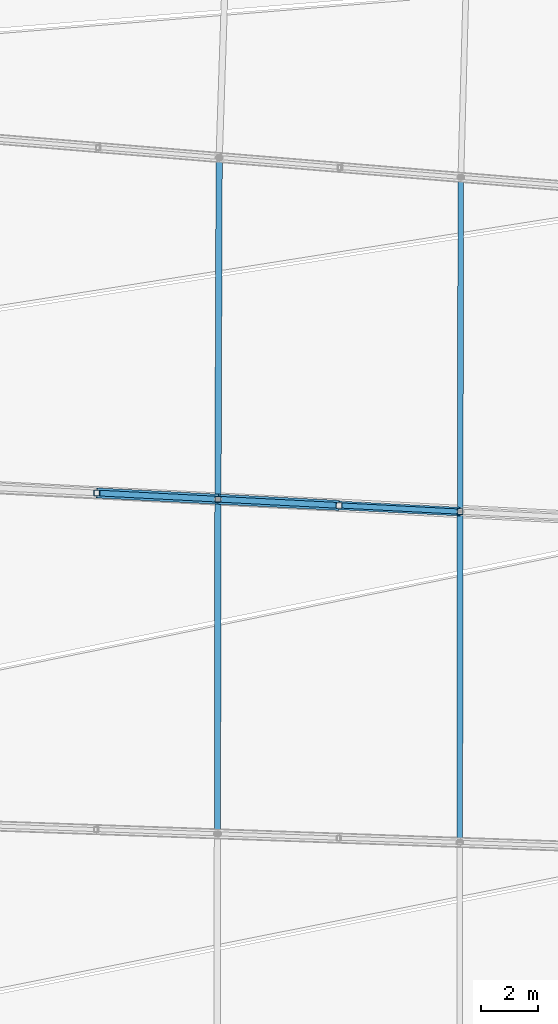
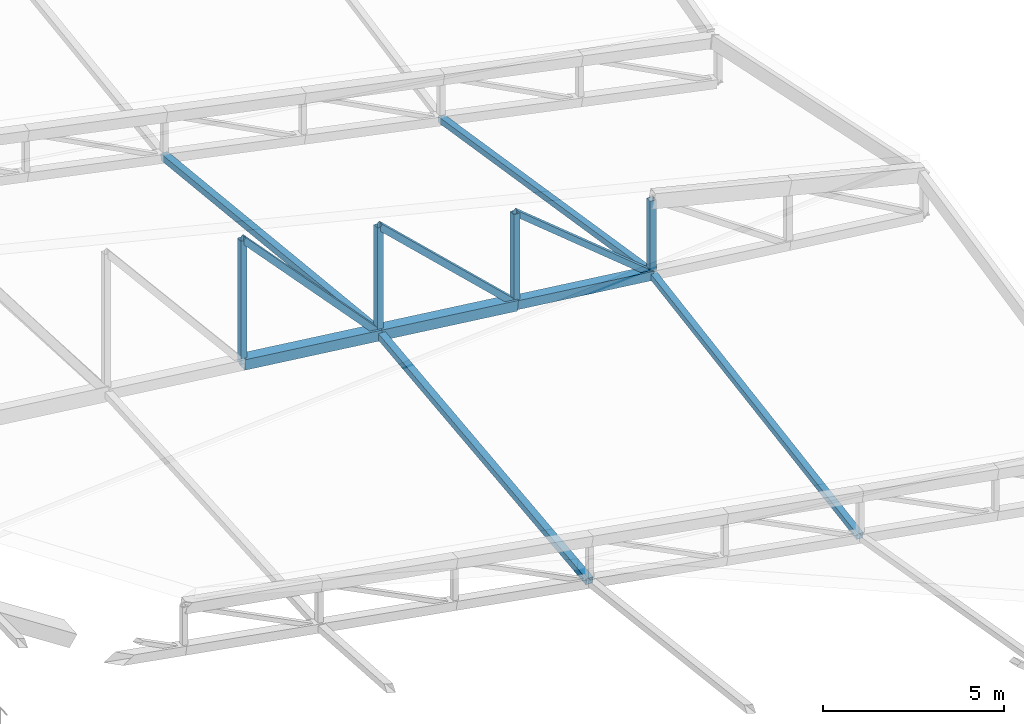
# One storey, part 123 of 344: 14 members.
"""IFC4 building model written with IfcOpenShell, lengths in metres."""

import ifcopenshell
import ifcopenshell.guid

model = None  # the IFC model being written
_history = None  # IfcOwnerHistory: only IFC2X3 demands one
_inside = {}  # id of a spatial element -> (the spatial element, [elements in it])
_under = {}  # id of a project, library or spatial element -> (it, [spatial elements below it])
_declared = {}  # id of a project -> (the project, [libraries it declares])
_typed = {}  # id of a type object -> (the type object, [elements of that type])
_made_of = {}  # id of a material, layer set ... -> (it, [elements and type objects made of it])


def new_model(schema):
    """Start an empty IFC model of exactly this schema.

    Asked for "IFC4X3", IfcOpenShell would pick the latest addendum, in which some entities
    have other attributes; the version numbers below select the first issue.
    IFC2X3 requires an IfcOwnerHistory on every rooted entity: one is made here for all.
    """
    global model, _history
    if schema == "IFC4X3":
        model = ifcopenshell.file(schema_version=(4, 3, 0, 0))
    else:
        model = ifcopenshell.file(schema=schema)
    _inside.clear()
    _under.clear()
    _declared.clear()
    _typed.clear()
    _made_of.clear()
    _history = None
    if model.schema == "IFC2X3":
        org = make("IfcOrganization", Name="unknown")
        user = make(
            "IfcPersonAndOrganization",
            ThePerson=make("IfcPerson", FamilyName="unknown"),
            TheOrganization=org,
        )
        app = make(
            "IfcApplication",
            ApplicationDeveloper=org,
            Version="unknown",
            ApplicationFullName="unknown",
            ApplicationIdentifier="unknown",
        )
        _history = make(
            "IfcOwnerHistory",
            OwningUser=user,
            OwningApplication=app,
            ChangeAction="ADDED",
            CreationDate=0,
        )
    return model


def make(cls, **values):
    """One entity of the class cls with the attributes given. An attribute that is None is left unset."""
    return model.create_entity(
        cls, **{name: value for name, value in values.items() if value is not None}
    )


def rooted(cls, **values):
    """An entity with a GlobalId (a new one), such as an element, a storey or a relation."""
    return make(cls, GlobalId=ifcopenshell.guid.new(), OwnerHistory=_history, **values)


def si_unit(unit_type, name, prefix=None):
    """IfcSIUnit, for example si_unit("LENGTHUNIT", "METRE", prefix="MILLI")."""
    return make("IfcSIUnit", UnitType=unit_type, Prefix=prefix, Name=name)


def assignment(units):
    """IfcUnitAssignment: the units of a project."""
    return None if units is None else make("IfcUnitAssignment", Units=units)


def point(xyz):
    """IfcCartesianPoint."""
    return None if xyz is None else make("IfcCartesianPoint", Coordinates=xyz)


def direction(xyz):
    """IfcDirection."""
    return None if xyz is None else make("IfcDirection", DirectionRatios=xyz)


def frame(location, z_axis=None, x_axis=None):
    """IfcAxis2Placement3D, a coordinate frame: its origin and axes. An axis left out is left unset."""
    return make(
        "IfcAxis2Placement3D",
        Location=point(location),
        Axis=direction(z_axis),
        RefDirection=direction(x_axis),
    )


def frame_2d(location, x_axis=None):
    """IfcAxis2Placement2D, a coordinate frame in the plane: its origin and x axis."""
    return make(
        "IfcAxis2Placement2D", Location=point(location), RefDirection=direction(x_axis)
    )


def origin():
    """The frame at (0, 0, 0) with its axes left unset."""
    return frame((0.0, 0.0, 0.0))


def origin_2d():
    """The frame at (0, 0) in the plane with its x axis left unset."""
    return frame_2d((0.0, 0.0))


def place(relative_to, where):
    """IfcLocalPlacement: puts the frame where relative to a parent placement (None: the world)."""
    return make(
        "IfcLocalPlacement", PlacementRelTo=relative_to, RelativePlacement=where
    )


def context(
    kind, dimensions, precision=None, world=None, true_north=None, identifier=None
):
    """IfcGeometricRepresentationContext, for example the 3D "Model" context."""
    return make(
        "IfcGeometricRepresentationContext",
        ContextIdentifier=identifier,
        ContextType=kind,
        CoordinateSpaceDimension=dimensions,
        Precision=precision,
        WorldCoordinateSystem=world,
        TrueNorth=true_north,
    )


def subcontext(parent, identifier, kind, view, scale=None):
    """IfcGeometricRepresentationSubContext, for example "Body" below "Model"."""
    return make(
        "IfcGeometricRepresentationSubContext",
        ContextIdentifier=identifier,
        ContextType=kind,
        ParentContext=parent,
        TargetScale=scale,
        TargetView=view,
    )


def project(units=None, contexts=None):
    """IfcProject with its units and contexts."""
    return rooted(
        "IfcProject",
        Name="project",
        RepresentationContexts=contexts,
        UnitsInContext=assignment(units),
    )


def spatial(cls, under=None, at=None, **own):
    """A site, building, storey or space (cls), placed at a placement, below another one or the project."""
    s = rooted(cls, ObjectPlacement=at, **own)
    if under is not None:
        _under.setdefault(under.id(), (under, []))[1].append(s)
    return s


def profile(cls, at=None, kind="AREA", **sizes):
    """A parametric profile (cls). Its sizes go by their IFC names, for example OverallWidth=200.0."""
    return make(cls, ProfileType=kind, Position=at, **sizes)


def hollow_rectangle(**sizes):
    """IfcRectangleHollowProfileDef."""
    return profile("IfcRectangleHollowProfileDef", **sizes)


def extrude(swept, where, along, depth):
    """IfcExtrudedAreaSolid: the profile swept, set in the frame where, extruded along a direction by depth."""
    return make(
        "IfcExtrudedAreaSolid",
        SweptArea=swept,
        Position=where,
        ExtrudedDirection=direction(along),
        Depth=depth,
    )


def shape(context_of_items, identifier, shape_type, items):
    """IfcShapeRepresentation: the items that make up one representation, for example the "Body"."""
    return make(
        "IfcShapeRepresentation",
        ContextOfItems=context_of_items,
        RepresentationIdentifier=identifier,
        RepresentationType=shape_type,
        Items=items,
    )


def material(Name=None, Category=None):
    """IfcMaterial."""
    return make("IfcMaterial", Name=Name, Category=Category)


def material_profile(
    of_material, cross_section, Name=None, Category=None, Priority=None
):
    """IfcMaterialProfile: a cross section and its material."""
    return make(
        "IfcMaterialProfile",
        Name=Name,
        Material=of_material,
        Profile=cross_section,
        Priority=Priority,
        Category=Category,
    )


def profile_set(profiles, Name=None, composite=None):
    """IfcMaterialProfileSet."""
    return make(
        "IfcMaterialProfileSet",
        Name=Name,
        MaterialProfiles=profiles,
        CompositeProfile=composite,
    )


def made_of(thing, what):
    """Note that an element or type object is made of a material, layer set ...; save() writes the relation."""
    if what is not None:
        _made_of.setdefault(what.id(), (what, []))[1].append(thing)
    return thing


def type_object(cls, material=None, **own):
    """A type object (cls), such as IfcWallType, which elements share."""
    return made_of(rooted(cls, **own), material)


def element(
    cls,
    number,
    at=None,
    inside=None,
    cuts=None,
    type_object=None,
    material=None,
    context=None,
    identifier="Body",
    shape_type=None,
    held_by="IfcProductDefinitionShape",
    body=None,
    shapes=None,
    **own,
):
    """One element of the class cls, such as IfcWall. Its Tag is "e" and its number.

    at: its placement. inside: the storey or other place that contains it. cuts: it is an
    opening in that element (IfcRelVoidsElement). A single representation is given by context,
    identifier, shape_type and body (its items); several are given by shapes. held_by: the class
    of the entity that holds the representations. save() writes the other relations.
    """
    e = rooted(cls, Tag="e%d" % number, ObjectPlacement=at, **own)
    if body is not None:
        shapes = [shape(context, identifier, shape_type, body)]
    if shapes is not None:
        e.Representation = make(held_by, Representations=shapes)
    if inside is not None:
        _inside.setdefault(inside.id(), (inside, []))[1].append(e)
    if cuts is not None:
        rooted(
            "IfcRelVoidsElement", RelatingBuildingElement=cuts, RelatedOpeningElement=e
        )
    if type_object is not None:
        _typed.setdefault(type_object.id(), (type_object, []))[1].append(e)
    return made_of(e, material)


def aggregate(whole, parts):
    """IfcRelAggregates: a whole, such as a stair, and the parts it consists of."""
    return rooted("IfcRelAggregates", RelatingObject=whole, RelatedObjects=parts)


def save(model, path):
    """Write the relations noted so far, then the file.

    IfcRelAggregates (storeys below a building ...), IfcRelContainedInSpatialStructure (elements
    in a storey), IfcRelDefinesByType, IfcRelAssociatesMaterial and IfcRelDeclares: one each for
    every whole, place, type object, material and project.
    """
    for whole, parts in _under.values():
        aggregate(whole, parts)
    for where, things in _inside.values():
        rooted(
            "IfcRelContainedInSpatialStructure",
            RelatedElements=things,
            RelatingStructure=where,
        )
    for kind, things in _typed.values():
        rooted("IfcRelDefinesByType", RelatedObjects=things, RelatingType=kind)
    for what, things in _made_of.values():
        rooted("IfcRelAssociatesMaterial", RelatedObjects=things, RelatingMaterial=what)
    for by, libraries in _declared.values():
        rooted("IfcRelDeclares", RelatingContext=by, RelatedDefinitions=libraries)
    model.write(path)


model = new_model("IFC4")

# Units and contexts
model_context = context("Model", 3, precision=1e-05, world=origin(), true_north=direction((0.0, 1.0)))
body_context = subcontext(model_context, "Body", "Model", "MODEL_VIEW")
ifc_project = project(units=[si_unit("LENGTHUNIT", "METRE"), si_unit("AREAUNIT", "SQUARE_METRE"), si_unit("VOLUMEUNIT", "CUBIC_METRE"), si_unit("PLANEANGLEUNIT", "RADIAN"), si_unit("MASSUNIT", "GRAM", prefix="KILO")], contexts=[model_context])

# Site, building, storey
site_placement = place(None, origin())
site = spatial("IfcSite", under=ifc_project, at=site_placement, CompositionType="ELEMENT")
building_placement = place(site_placement, origin())
building = spatial("IfcBuilding", under=site, at=building_placement, Name="Meseta Stadium", CompositionType="ELEMENT")
storey_placement = place(building_placement, frame((0.0, 0.0, 24.0)))
storey = spatial("IfcBuildingStorey", under=building, at=storey_placement, Name="L04", CompositionType="ELEMENT", Elevation=24.0)

# Members
ifc_material_1 = material(Name="Steel S355", Category="steel")
ifc_material_profile_1 = material_profile(ifc_material_1, hollow_rectangle(XDim=0.179931640625, YDim=0.179931640625, WallThickness=0.00634765625, at=origin_2d()), Name="SHS 180x180x6.3")
ifc_profile_set_1 = profile_set([ifc_material_profile_1], Name="Steel S355")
member_type_1 = type_object("IfcMemberType", Name="SHS 180x180x6.3 diagonal", PredefinedType="BRACE", material=ifc_profile_set_1)
member_1_placement = place(storey_placement, frame((-55.42431640625, 28.886962890625, 4.232421875), z_axis=(-0.778498530256, 0.040027021879, 0.626368801832), x_axis=(-0.051347841848, -0.998680829463, 0.0)))
element("IfcMember", 1, at=member_1_placement, inside=storey, type_object=member_type_1, Name="ROOF TRUSS RT-30 diagonal", PredefinedType="BRACE", context=body_context, shape_type="SweptSolid", body=[
    extrude(hollow_rectangle(XDim=0.179931640625, YDim=0.179931640625, WallThickness=0.00634765625, at=origin_2d()), origin(), (0.0, 0.0, 1.0), 5.416259765625),
])
ifc_material_2 = material(Name="Steel S355", Category="steel")
ifc_material_profile_2 = material_profile(ifc_material_2, hollow_rectangle(XDim=0.199951171875, YDim=0.199951171875, WallThickness=0.008056640625, at=origin_2d()), Name="SHS 200x200x8")
ifc_profile_set_2 = profile_set([ifc_material_profile_2], Name="Steel S355")
member_type_2 = type_object("IfcMemberType", Name="SHS 200x200x8 diagonal", PredefinedType="BRACE", material=ifc_profile_set_2)
member_2_placement = place(storey_placement, frame((-59.640869140625, 29.103759765625, 4.58056640625), z_axis=(-0.730089777675, 0.037495780951, 0.682321759102), x_axis=(-0.051290169905, -0.998683793035, 0.0)))
element("IfcMember", 2, at=member_2_placement, inside=storey, type_object=member_type_2, Name="ROOF TRUSS RT-30 diagonal", PredefinedType="BRACE", context=body_context, shape_type="SweptSolid", body=[
    extrude(hollow_rectangle(XDim=0.199951171875, YDim=0.199951171875, WallThickness=0.008056640625, at=origin_2d()), origin(), (0.0, 0.0, 1.0), 5.775390625),
])
member_3_placement = place(storey_placement, frame((-63.857421875, 29.3203125, 4.9287109375), z_axis=(-0.684258030429, 0.035179546724, 0.728390930261), x_axis=(-0.051344876791, -0.998680981909, 0.0)))
element("IfcMember", 3, at=member_3_placement, inside=storey, type_object=member_type_2, Name="ROOF TRUSS RT-30 diagonal", PredefinedType="BRACE", context=body_context, shape_type="SweptSolid", body=[
    extrude(hollow_rectangle(XDim=0.199951171875, YDim=0.199951171875, WallThickness=0.008056640625, at=origin_2d()), origin(), (0.0, 0.0, 1.0), 6.16259765625),
])
ifc_material_3 = material(Name="Steel S355", Category="steel")
ifc_material_profile_3 = material_profile(ifc_material_3, hollow_rectangle(XDim=0.199951171875, YDim=0.199951171875, WallThickness=0.008056640625, at=origin_2d()), Name="SHS 200x200x8")
ifc_profile_set_3 = profile_set([ifc_material_profile_3], Name="Steel S355")
member_type_3 = type_object("IfcMemberType", Name="SHS 200x200x8 post", PredefinedType="POST", material=ifc_profile_set_3)
member_4_placement = place(storey_placement, frame((-55.42431640625, 28.886962890625, 4.232421875), z_axis=(0.0, 0.0, 1.0), x_axis=(1.0, 0.0, 0.0)))
element("IfcMember", 4, at=member_4_placement, inside=storey, type_object=member_type_3, Name="ROOF TRUSS RT-30 post", PredefinedType="POST", context=body_context, shape_type="SweptSolid", body=[
    extrude(hollow_rectangle(XDim=0.199951171875, YDim=0.199951171875, WallThickness=0.008056640625, at=origin_2d()), origin(), (0.0, 0.0, 1.0), 2.496337890625),
])
member_5_placement = place(storey_placement, frame((-59.640869140625, 29.103759765625, 4.58056640625), z_axis=(0.0, 0.0, 1.0), x_axis=(1.0, 0.0, 0.0)))
element("IfcMember", 5, at=member_5_placement, inside=storey, type_object=member_type_3, Name="ROOF TRUSS RT-30 post", PredefinedType="POST", context=body_context, shape_type="SweptSolid", body=[
    extrude(hollow_rectangle(XDim=0.199951171875, YDim=0.199951171875, WallThickness=0.008056640625, at=origin_2d()), origin(), (0.0, 0.0, 1.0), 3.04443359375),
])
member_6_placement = place(storey_placement, frame((-63.857421875, 29.3203125, 4.9287109375), z_axis=(0.0, 0.0, 1.0), x_axis=(1.0, 0.0, 0.0)))
element("IfcMember", 6, at=member_6_placement, inside=storey, type_object=member_type_3, Name="ROOF TRUSS RT-30 post", PredefinedType="POST", context=body_context, shape_type="SweptSolid", body=[
    extrude(hollow_rectangle(XDim=0.199951171875, YDim=0.199951171875, WallThickness=0.008056640625, at=origin_2d()), origin(), (0.0, 0.0, 1.0), 3.592529296875),
])
member_7_placement = place(storey_placement, frame((-68.07421875, 29.537109375, 5.276611328125), z_axis=(0.0, 0.0, 1.0), x_axis=(1.0, 0.0, 0.0)))
element("IfcMember", 7, at=member_7_placement, inside=storey, type_object=member_type_3, Name="ROOF TRUSS RT-30 post", PredefinedType="POST", context=body_context, shape_type="SweptSolid", body=[
    extrude(hollow_rectangle(XDim=0.199951171875, YDim=0.199951171875, WallThickness=0.008056640625, at=origin_2d()), origin(), (0.0, 0.0, 1.0), 4.140869140625),
])
ifc_material_4 = material(Name="Steel S355", Category="steel")
ifc_material_profile_4 = material_profile(ifc_material_4, hollow_rectangle(XDim=0.199951171875, YDim=0.199951171875, WallThickness=0.008056640625, at=origin_2d()), Name="SHS 200x200x8")
ifc_profile_set_4 = profile_set([ifc_material_profile_4], Name="Steel S355")
member_type_4 = type_object("IfcMemberType", Name="SHS 200x200x8 strut", PredefinedType="STRUT", material=ifc_profile_set_4)
member_8_placement = place(storey_placement, frame((-55.398193359375, 40.5263671875, 2.36572265625), z_axis=(-0.002216038975, -0.98737998262, 0.158353588822), x_axis=(0.999997481427, -0.002244357221, 0.0)))
element("IfcMember", 8, at=member_8_placement, inside=storey, type_object=member_type_4, Name="ROOF TRUSS STRUT RT-29/30", PredefinedType="STRUT", context=body_context, shape_type="SweptSolid", body=[
    extrude(hollow_rectangle(XDim=0.199951171875, YDim=0.199951171875, WallThickness=0.008056640625, at=origin_2d()), origin(), (0.0, 0.0, 1.0), 11.7880859375),
])
member_9_placement = place(storey_placement, frame((-55.42431640625, 28.886962890625, 4.232421875), z_axis=(-0.001004414603, -0.987151227413, -0.159785623159), x_axis=(0.999999482359, -0.00101748755, 0.0)))
element("IfcMember", 9, at=member_9_placement, inside=storey, type_object=member_type_4, Name="ROOF TRUSS STRUT RT-30/31", PredefinedType="STRUT", context=body_context, shape_type="SweptSolid", body=[
    extrude(hollow_rectangle(XDim=0.199951171875, YDim=0.199951171875, WallThickness=0.008056640625, at=origin_2d()), origin(), (0.0, 0.0, 1.0), 11.667236328125),
])
ifc_material_5 = material(Name="Steel S355", Category="steel")
ifc_material_profile_5 = material_profile(ifc_material_5, hollow_rectangle(XDim=0.219970703125, YDim=0.219970703125, WallThickness=0.008056640625, at=origin_2d()), Name="SHS 220x220x8")
ifc_profile_set_5 = profile_set([ifc_material_profile_5], Name="Steel S355")
member_type_5 = type_object("IfcMemberType", Name="SHS 220x220x8 strut", PredefinedType="STRUT", material=ifc_profile_set_5)
member_10_placement = place(storey_placement, frame((-63.814208984375, 41.21826171875, 3.632568359375), z_axis=(-0.003610576414, -0.994112039238, 0.108296893674), x_axis=(0.999993404494, -0.003631937304, 0.0)))
element("IfcMember", 10, at=member_10_placement, inside=storey, type_object=member_type_5, Name="ROOF TRUSS STRUT RT-29/30", PredefinedType="STRUT", context=body_context, shape_type="SweptSolid", body=[
    extrude(hollow_rectangle(XDim=0.219970703125, YDim=0.219970703125, WallThickness=0.008056640625, at=origin_2d()), origin(), (0.0, 0.0, 1.0), 11.968505859375),
])
member_11_placement = place(storey_placement, frame((-63.857421875, 29.3203125, 4.9287109375), z_axis=(-0.001499234263, -0.993888203001, -0.110381122627), x_axis=(0.999998862286, -0.001508451909, 0.0)))
element("IfcMember", 11, at=member_11_placement, inside=storey, type_object=member_type_5, Name="ROOF TRUSS STRUT RT-30/31", PredefinedType="STRUT", context=body_context, shape_type="SweptSolid", body=[
    extrude(hollow_rectangle(XDim=0.219970703125, YDim=0.219970703125, WallThickness=0.008056640625, at=origin_2d()), origin(), (0.0, 0.0, 1.0), 11.724853515625),
])
ifc_material_6 = material(Name="Steel S355", Category="steel")
ifc_material_profile_6 = material_profile(ifc_material_6, hollow_rectangle(XDim=0.300048828125, YDim=0.300048828125, WallThickness=0.010009765625, at=origin_2d()), Name="SHS 300x300x10")
ifc_profile_set_6 = profile_set([ifc_material_profile_6], Name="Steel S355")
member_type_6 = type_object("IfcMemberType", Name="SHS 300x300x10 bottom chord", PredefinedType="CHORD", material=ifc_profile_set_6)
member_12_placement = place(storey_placement, frame((-55.42431640625, 28.886962890625, 4.232421875), z_axis=(-0.995302932026, 0.051174164996, 0.082178332527), x_axis=(-0.051347841848, -0.998680829463, 0.0)))
element("IfcMember", 12, at=member_12_placement, inside=storey, type_object=member_type_6, Name="ROOF TRUSS RT-30 bottom chord", PredefinedType="CHORD", context=body_context, shape_type="SweptSolid", body=[
    extrude(hollow_rectangle(XDim=0.300048828125, YDim=0.300048828125, WallThickness=0.010009765625, at=origin_2d()), origin(), (0.0, 0.0, 1.0), 4.236572265625),
])
ifc_material_7 = material(Name="Steel S355", Category="steel")
ifc_material_profile_7 = material_profile(ifc_material_7, hollow_rectangle(XDim=0.35009765625, YDim=0.35009765625, WallThickness=0.01416015625, at=origin_2d()), Name="SHS 350x350x14.2")
ifc_profile_set_7 = profile_set([ifc_material_profile_7], Name="Steel S355")
member_type_7 = type_object("IfcMemberType", Name="SHS 350x350x14.2 bottom chord", PredefinedType="CHORD", material=ifc_profile_set_7)
member_13_placement = place(storey_placement, frame((-59.640869140625, 29.103759765625, 4.58056640625), z_axis=(-0.995305865628, 0.051116687095, 0.082178574743), x_axis=(-0.051290169905, -0.998683793035, 0.0)))
element("IfcMember", 13, at=member_13_placement, inside=storey, type_object=member_type_7, Name="ROOF TRUSS RT-30 bottom chord", PredefinedType="CHORD", context=body_context, shape_type="SweptSolid", body=[
    extrude(hollow_rectangle(XDim=0.35009765625, YDim=0.35009765625, WallThickness=0.01416015625, at=origin_2d()), origin(), (0.0, 0.0, 1.0), 4.236328125),
])
member_14_placement = place(storey_placement, frame((-63.857421875, 29.3203125, 4.9287109375), z_axis=(-0.995308183497, 0.051171472148, 0.08211638267), x_axis=(-0.051344876791, -0.998680981909, 0.0)))
element("IfcMember", 14, at=member_14_placement, inside=storey, type_object=member_type_7, Name="ROOF TRUSS RT-30 bottom chord", PredefinedType="CHORD", context=body_context, shape_type="SweptSolid", body=[
    extrude(hollow_rectangle(XDim=0.35009765625, YDim=0.35009765625, WallThickness=0.01416015625, at=origin_2d()), origin(), (0.0, 0.0, 1.0), 4.236572265625),
])

save(model, "model.ifc")
